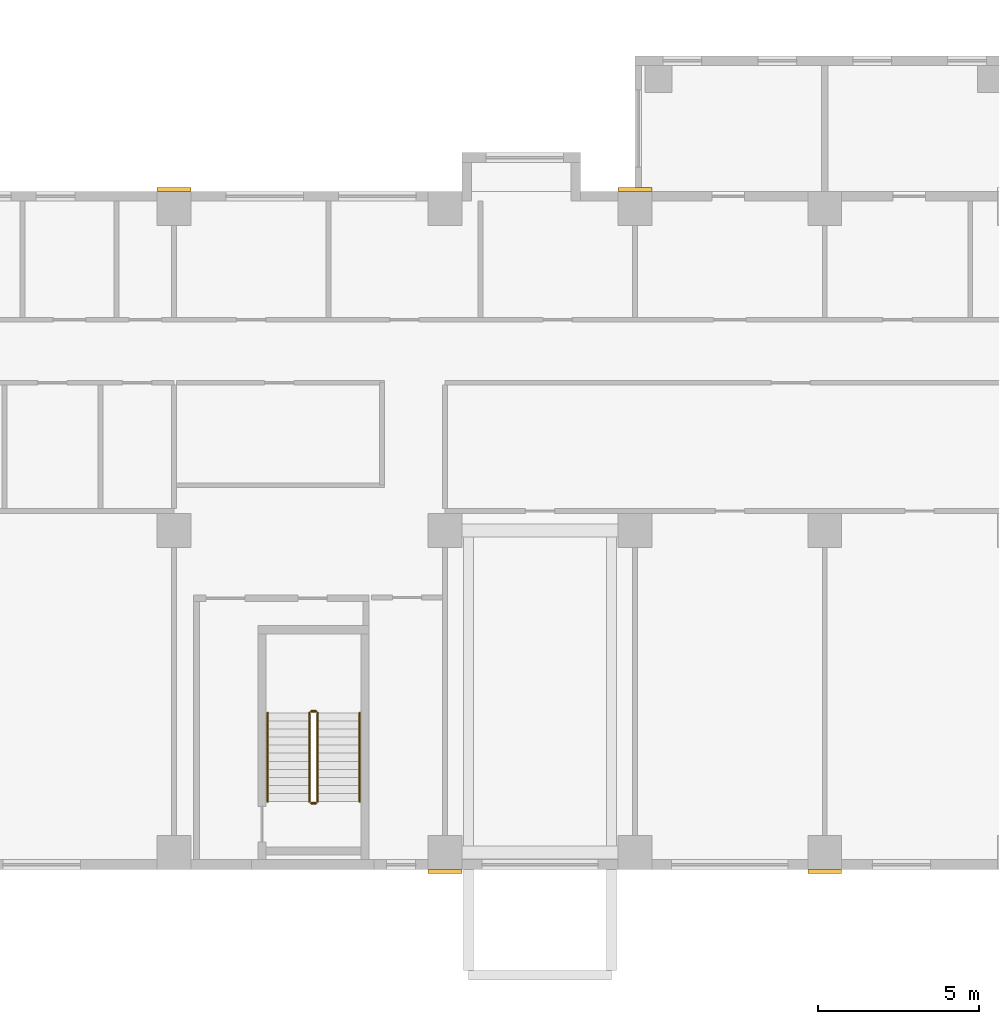
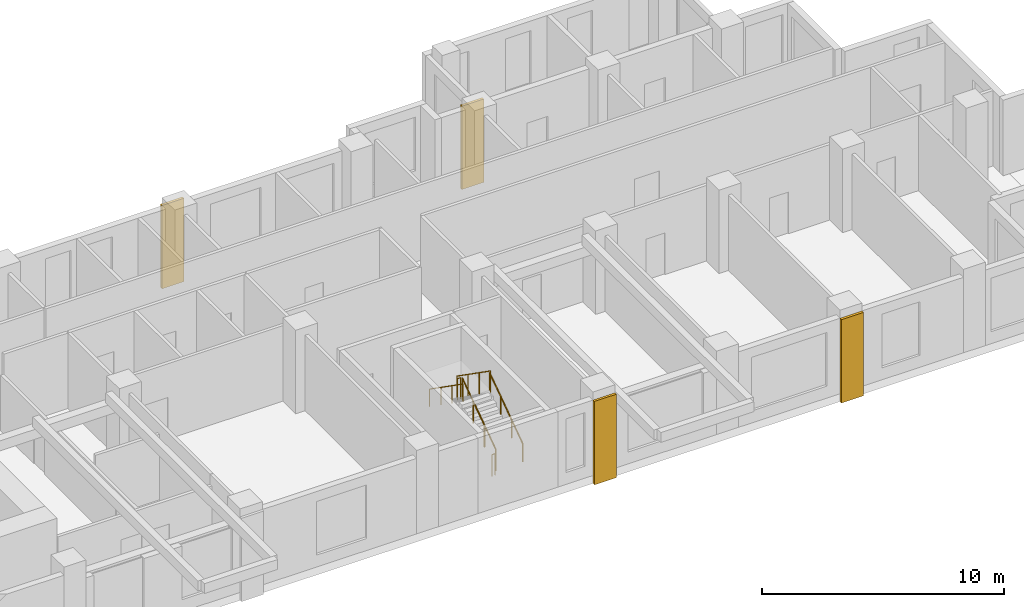
# One storey, part 12 of 14: 6 railings, 4 coverings.
"""IFC4 building model written with IfcOpenShell, lengths in metres."""

from ifc_helpers import new_model, si_unit, direction, frame, origin, origin_2d, place, context, subcontext, project, spatial, rectangle, circle, extrude, source, transform, mapped, material, type_object, element, save


model = new_model("IFC4")

# Units and contexts
model_context = context("Model", 3, precision=1e-05, world=origin(), true_north=direction((0.0, 1.0)))
body_context = subcontext(model_context, "Body", "Model", "MODEL_VIEW")
ifc_project = project(units=[si_unit("LENGTHUNIT", "METRE"), si_unit("AREAUNIT", "SQUARE_METRE"), si_unit("VOLUMEUNIT", "CUBIC_METRE"), si_unit("PLANEANGLEUNIT", "RADIAN"), si_unit("MASSUNIT", "GRAM", prefix="KILO")], contexts=[model_context])

# Site, building, storey
site_placement = place(None, origin())
site = spatial("IfcSite", under=ifc_project, at=site_placement, CompositionType="ELEMENT")
building_placement = place(site_placement, origin())
building = spatial("IfcBuilding", under=site, at=building_placement, Name="Aurelian Terraces", CompositionType="ELEMENT")
storey_placement = place(building_placement, frame((0.0, 0.0, 128.7)))
storey = spatial("IfcBuildingStorey", under=building, at=storey_placement, Name="L28", CompositionType="ELEMENT", Elevation=128.7)

# Coverings
ifc_material_1 = material(Name="Terracotta rainscreen cladding relief", Category="masonry")
covering_type = type_object("IfcCoveringType", Name="BAGUETTE-TC", PredefinedType="CLADDING", material=ifc_material_1)
shared_shape_1 = source(origin(), body_context, "Body", "SweptSolid", [
    extrude(rectangle(XDim=1.05, YDim=0.12, at=origin_2d()), origin(), (0.0, 0.0, 1.0), 4.2),
])
for number, where, z_axis, x_axis, name in (
    (1, (46.2, -0.06, -0.4), (0.0, 0.0, 1.0), (1.0, 0.0, 0.0), "BAGUETTE pier L28 3"),
    (2, (57.96, -0.06, -0.4), (0.0, 0.0, 1.0), (1.0, 0.0, 0.0), "BAGUETTE pier L28 4"),
    (3, (37.8, 21.06, -0.4), (0.0, 0.0, 1.0), (1.0, 0.0, 0.0), "BAGUETTE pier L28 7"),
    (4, (52.08, 21.06, -0.4), (0.0, 0.0, 1.0), (1.0, 0.0, 0.0), "BAGUETTE pier L28 8"),
):
    element("IfcCovering", number, at=place(storey_placement, frame(where, z_axis=z_axis, x_axis=x_axis)), inside=storey, type_object=covering_type, Name=name, PredefinedType="CLADDING", context=body_context, shape_type="MappedRepresentation", body=[
        mapped(shared_shape_1, transform((0.0, 0.0, 0.0), scale=1.0)),
    ])

# Railings
ifc_material_2 = material(Name="Stainless steel", Category="steel")
railing_type_1 = type_object("IfcRailingType", Name="Stair guard 1100", PredefinedType="GUARDRAIL", material=ifc_material_2)
shared_shape_2 = source(origin(), body_context, "Body", "SweptSolid", [
    extrude(circle(Radius=0.024, at=origin_2d()), frame((0.0, 0.0, 1.076), z_axis=(-1.0, 0.0, 0.0), x_axis=(0.0, -1.0, 0.0)), (0.0, 0.0, 1.0), 0.15),
    extrude(circle(Radius=0.021, at=origin_2d()), origin(), (0.0, 0.0, 1.0), 1.052),
    extrude(circle(Radius=0.021, at=origin_2d()), frame((-0.15, 0.0, 0.0)), (0.0, 0.0, 1.0), 1.052),
])
for number, where, name in (
    (5, (42.2, 4.9, 2.1), "L28 S2 stair guard 2"),
    (6, (42.2, 2.05, 0.0), "L28 S2 stair guard 4"),
):
    element("IfcRailing", number, at=place(storey_placement, frame(where)), inside=storey, type_object=railing_type_1, Name=name, PredefinedType="GUARDRAIL", context=body_context, shape_type="MappedRepresentation", body=[
        mapped(shared_shape_2, transform((0.0, 0.0, 0.0), scale=1.0)),
    ])
shared_shape_3 = source(origin(), body_context, "Body", "SweptSolid", [
    extrude(circle(Radius=0.024, at=origin_2d()), frame((0.0, 0.0, 1.076), z_axis=(0.0, 0.819231920519, 0.573462344363), x_axis=(-1.0, 0.0, 0.0)), (0.0, 0.0, 1.0), 3.3568),
    extrude(circle(Radius=0.021, at=origin_2d()), origin(), (0.0, 0.0, 1.0), 1.052),
    extrude(circle(Radius=0.021, at=origin_2d()), frame((0.0, 0.9167, 0.6417)), (0.0, 0.0, 1.0), 1.052),
    extrude(circle(Radius=0.021, at=origin_2d()), frame((0.0, 1.8333, 1.2833)), (0.0, 0.0, 1.0), 1.052),
    extrude(circle(Radius=0.021, at=origin_2d()), frame((0.0, 2.75, 1.925)), (0.0, 0.0, 1.0), 1.052),
])
railing_1_placement = place(storey_placement, frame((42.25, 2.1, 0.175)))
element("IfcRailing", 7, at=railing_1_placement, inside=storey, type_object=railing_type_1, Name="L28 S2 stair guard 1", PredefinedType="GUARDRAIL", context=body_context, shape_type="MappedRepresentation", body=[
    mapped(shared_shape_3, transform((0.0, 0.0, 0.0), scale=1.0)),
])
shared_shape_4 = source(origin(), body_context, "Body", "SweptSolid", [
    extrude(circle(Radius=0.024, at=origin_2d()), frame((0.0, 0.0, 1.076), z_axis=(0.0, -0.819231920519, 0.573462344363), x_axis=(1.0, 0.0, 0.0)), (0.0, 0.0, 1.0), 3.3568),
    extrude(circle(Radius=0.021, at=origin_2d()), origin(), (0.0, 0.0, 1.0), 1.052),
    extrude(circle(Radius=0.021, at=origin_2d()), frame((0.0, -0.9167, 0.6417)), (0.0, 0.0, 1.0), 1.052),
    extrude(circle(Radius=0.021, at=origin_2d()), frame((0.0, -1.8333, 1.2833)), (0.0, 0.0, 1.0), 1.052),
    extrude(circle(Radius=0.021, at=origin_2d()), frame((0.0, -2.75, 1.925)), (0.0, 0.0, 1.0), 1.052),
])
railing_2_placement = place(storey_placement, frame((42.0, 4.85, 2.275)))
element("IfcRailing", 8, at=railing_2_placement, inside=storey, type_object=railing_type_1, Name="L28 S2 stair guard 3", PredefinedType="GUARDRAIL", context=body_context, shape_type="MappedRepresentation", body=[
    mapped(shared_shape_4, transform((0.0, 0.0, 0.0), scale=1.0)),
])
railing_type_2 = type_object("IfcRailingType", Name="Stair handrail", PredefinedType="HANDRAIL", material=ifc_material_2)
shared_shape_5 = source(origin(), body_context, "Body", "SweptSolid", [
    extrude(circle(Radius=0.024, at=origin_2d()), frame((0.0, 0.0, 0.876), z_axis=(0.0, 0.819231920519, 0.573462344363), x_axis=(-1.0, 0.0, 0.0)), (0.0, 0.0, 1.0), 3.3568),
    extrude(circle(Radius=0.021, at=origin_2d()), origin(), (0.0, 0.0, 1.0), 0.852),
    extrude(circle(Radius=0.021, at=origin_2d()), frame((0.0, 0.9167, 0.6417)), (0.0, 0.0, 1.0), 0.852),
    extrude(circle(Radius=0.021, at=origin_2d()), frame((0.0, 1.8333, 1.2833)), (0.0, 0.0, 1.0), 0.852),
    extrude(circle(Radius=0.021, at=origin_2d()), frame((0.0, 2.75, 1.925)), (0.0, 0.0, 1.0), 0.852),
])
railing_3_placement = place(storey_placement, frame((43.55, 2.1, 0.175)))
element("IfcRailing", 9, at=railing_3_placement, inside=storey, type_object=railing_type_2, Name="L28 S2 stair handrail 1", PredefinedType="HANDRAIL", context=body_context, shape_type="MappedRepresentation", body=[
    mapped(shared_shape_5, transform((0.0, 0.0, 0.0), scale=1.0)),
])
shared_shape_6 = source(origin(), body_context, "Body", "SweptSolid", [
    extrude(circle(Radius=0.024, at=origin_2d()), frame((0.0, 0.0, 0.876), z_axis=(0.0, -0.819231920519, 0.573462344363), x_axis=(1.0, 0.0, 0.0)), (0.0, 0.0, 1.0), 3.3568),
    extrude(circle(Radius=0.021, at=origin_2d()), origin(), (0.0, 0.0, 1.0), 0.852),
    extrude(circle(Radius=0.021, at=origin_2d()), frame((0.0, -0.9167, 0.6417)), (0.0, 0.0, 1.0), 0.852),
    extrude(circle(Radius=0.021, at=origin_2d()), frame((0.0, -1.8333, 1.2833)), (0.0, 0.0, 1.0), 0.852),
    extrude(circle(Radius=0.021, at=origin_2d()), frame((0.0, -2.75, 1.925)), (0.0, 0.0, 1.0), 0.852),
])
railing_4_placement = place(storey_placement, frame((40.7, 4.85, 2.275)))
element("IfcRailing", 10, at=railing_4_placement, inside=storey, type_object=railing_type_2, Name="L28 S2 stair handrail 2", PredefinedType="HANDRAIL", context=body_context, shape_type="MappedRepresentation", body=[
    mapped(shared_shape_6, transform((0.0, 0.0, 0.0), scale=1.0)),
])

save(model, "model.ifc")
